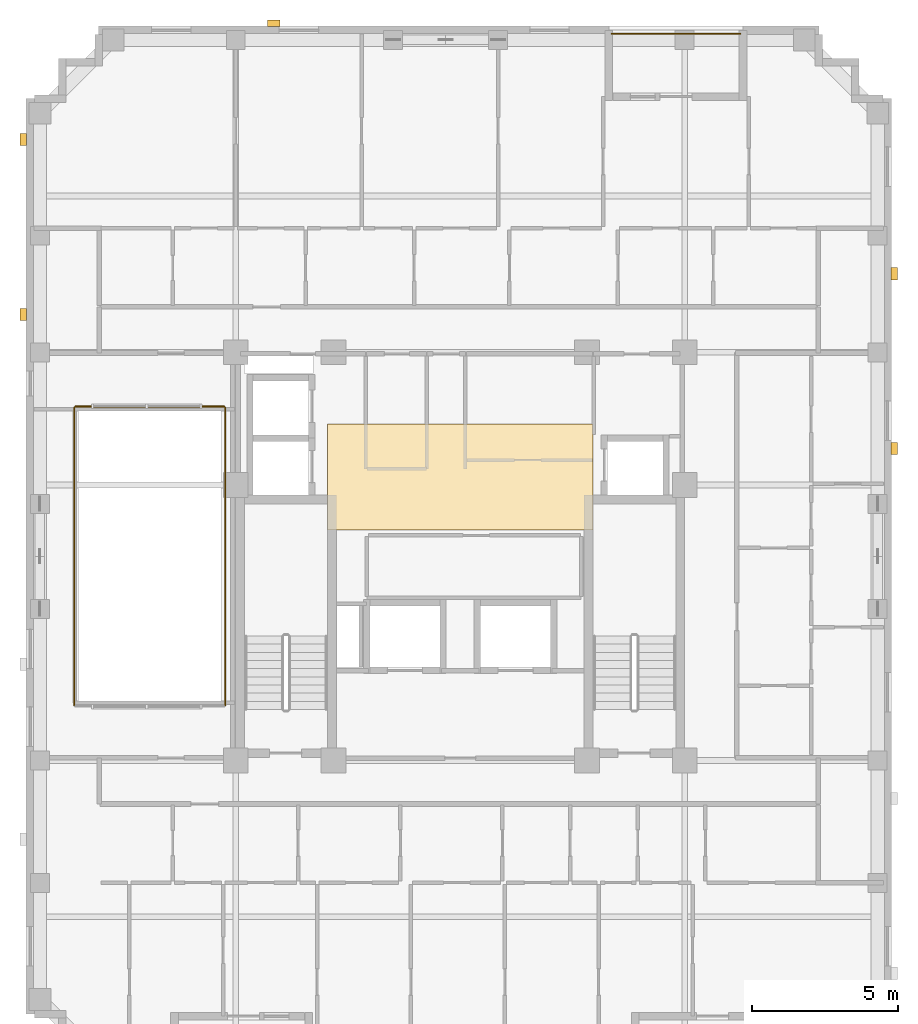
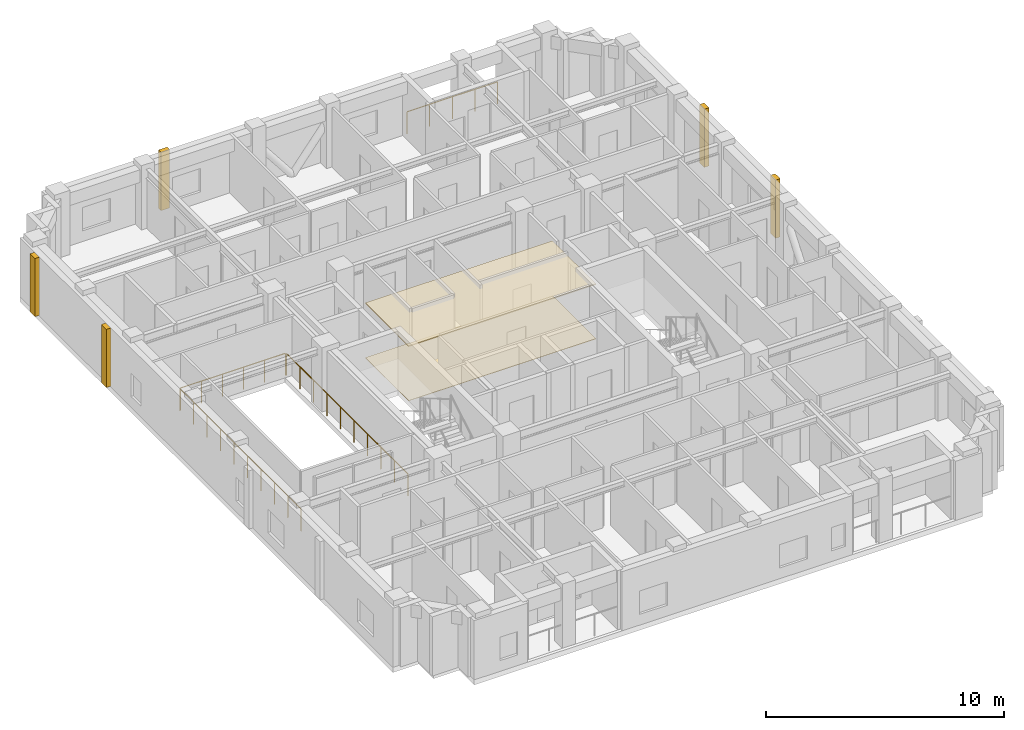
# One storey, part 12 of 12: 7 coverings, 4 railings.
"""IFC4 building model written with IfcOpenShell, lengths in metres."""

from ifc_helpers import new_model, si_unit, derived_unit, direction, frame, origin, origin_2d, place, context, subcontext, project, spatial, polyline, rectangle, circle, outline, extrude, material, layer, layer_set, type_object, element, save


model = new_model("IFC4")

# Units and contexts
model_context = context("Model", 3, precision=1e-05, world=origin(), true_north=direction((0.0, 1.0)))
body_context = subcontext(model_context, "Body", "Model", "MODEL_VIEW")
ifc_project = project(units=[si_unit("LENGTHUNIT", "METRE"), si_unit("AREAUNIT", "SQUARE_METRE"), si_unit("VOLUMEUNIT", "CUBIC_METRE"), si_unit("PLANEANGLEUNIT", "RADIAN"), si_unit("MASSUNIT", "GRAM", prefix="KILO"), derived_unit("THERMALTRANSMITTANCEUNIT", [(si_unit("MASSUNIT", "GRAM", prefix="KILO"), 1), (si_unit("TIMEUNIT", "SECOND"), -3), (si_unit("THERMODYNAMICTEMPERATUREUNIT", "KELVIN"), -1)])], contexts=[model_context])

# Site, building, storey
site_placement = place(None, origin())
site = spatial("IfcSite", under=ifc_project, at=site_placement, CompositionType="ELEMENT")
building_placement = place(site_placement, origin())
building = spatial("IfcBuilding", under=site, at=building_placement, Name="Korrvale Station Residences", CompositionType="ELEMENT")
storey_placement = place(building_placement, frame((0.0, 0.0, 184.300048828125)))
storey = spatial("IfcBuildingStorey", under=building, at=storey_placement, Name="L53", CompositionType="ELEMENT", Elevation=184.300048828125)

# Coverings
ifc_material_1 = material(Name="Perforated acoustic mineral-fibre suspended ceiling", Category="gypsum")
ifc_layer_1 = layer(ifc_material_1, 0.050048828125, Name="Perforated acoustic mineral-fibre suspended ceiling")
ifc_layer_set_1 = layer_set([ifc_layer_1], Name="Perforated acoustic mineral-fibre suspended ceiling")
covering_type_1 = type_object("IfcCoveringType", Name="COV-CLG-AC60", PredefinedType="CEILING", material=ifc_layer_set_1)
covering_1_placement = place(storey_placement, frame((0.0, 0.0, 2.7900390625)))
element("IfcCovering", 1, at=covering_1_placement, inside=storey, type_object=covering_type_1, Name="L53 Elevator Lobby Acoustic Ceiling", PredefinedType="CEILING", context=body_context, shape_type="SweptSolid", body=[
    extrude(outline(polyline([(20.949951171875, 22.89990234375), (30.050048828125, 22.89990234375), (30.050048828125, 26.550048828125), (20.949951171875, 26.550048828125), (20.949951171875, 22.89990234375)])), origin(), (0.0, 0.0, 1.0), 0.0498046875),
])
ifc_material_2 = material(Name="Polished quartz-terrazzo lobby flooring", Category="masonry")
ifc_layer_2 = layer(ifc_material_2, 0.02001953125, Name="Polished quartz-terrazzo lobby flooring")
ifc_layer_set_2 = layer_set([ifc_layer_2], Name="Polished quartz-terrazzo lobby flooring")
covering_type_2 = type_object("IfcCoveringType", Name="COV-FLR-TER20", PredefinedType="FLOORING", material=ifc_layer_set_2)
covering_2_placement = place(storey_placement, origin())
element("IfcCovering", 2, at=covering_2_placement, inside=storey, type_object=covering_type_2, Name="L53 Elevator Lobby Terrazzo Flooring", PredefinedType="FLOORING", context=body_context, shape_type="SweptSolid", body=[
    extrude(outline(polyline([(20.949951171875, 22.89990234375), (30.050048828125, 22.89990234375), (30.050048828125, 26.550048828125), (20.949951171875, 26.550048828125), (20.949951171875, 22.89990234375)])), origin(), (0.0, 0.0, 1.0), 0.02001953125),
])
ifc_material_3 = material(Name="Architectural precast concrete C45/55", Category="concrete")
ifc_layer_3 = layer(ifc_material_3, 0.219970703125, Name="Architectural precast concrete C45/55")
ifc_layer_set_3 = layer_set([ifc_layer_3], Name="Architectural precast concrete C45/55")
covering_type_3 = type_object("IfcCoveringType", Name="COV-PIER-400", PredefinedType="CLADDING", material=ifc_layer_set_3)
for number, where, z_axis, x_axis, name in (
    (3, (19.10009765625, 40.2900390625, 0.02490234375), (0.0, 0.0, 1.0), (1.0, 0.0, 0.0), "L53 Architectural Precast Facade Pier 01"),
    (4, (10.510009765625, 30.300048828125, 0.02490234375), (0.0, 0.0, 1.0), (0.0, 1.0, 0.0), "L53 Architectural Precast Facade Pier 04"),
    (5, (10.510009765625, 36.300048828125, 0.02490234375), (0.0, 0.0, 1.0), (0.0, 1.0, 0.0), "L53 Architectural Precast Facade Pier 05"),
    (6, (40.389892578125, 31.699951171875, 0.02490234375), (0.0, 0.0, 1.0), (0.0, 1.0, 0.0), "L53 Architectural Precast Facade Pier 06"),
    (7, (40.389892578125, 25.699951171875, 0.02490234375), (0.0, 0.0, 1.0), (0.0, 1.0, 0.0), "L53 Architectural Precast Facade Pier 07"),
):
    element("IfcCovering", number, at=place(storey_placement, frame(where, z_axis=z_axis, x_axis=x_axis)), inside=storey, type_object=covering_type_3, Name=name, PredefinedType="CLADDING", context=body_context, shape_type="SweptSolid", body=[
        extrude(rectangle(XDim=0.419921875, YDim=0.219970703125, at=origin_2d()), origin(), (0.0, 0.0, 1.0), 2.989990234375),
    ])

# Railings
ifc_material_4 = material(Name="Laminated glass and brushed bronze interior atrium balustrade", Category="glass")
railing_type_1 = type_object("IfcRailingType", Name="RLG-ATR-1150", PredefinedType="BALUSTRADE", material=ifc_material_4)
railing_1_placement = place(storey_placement, frame((12.300048828125, 27.139892578125, 0.0)))
element("IfcRailing", 8, at=railing_1_placement, inside=storey, type_object=railing_type_1, Name="L53 Atrium Void Balustrade 1-N", PredefinedType="BALUSTRADE", context=body_context, shape_type="SweptSolid", body=[
    extrude(circle(Radius=0.02392578125, at=origin_2d()), frame((0.0, 0.0, 1.1259765625), z_axis=(1.0, 0.0, 0.0), x_axis=(0.0, 1.0, 0.0)), (0.0, 0.0, 1.0), 5.099853515625),
    extrude(circle(Radius=0.02099609375, at=origin_2d()), origin(), (0.0, 0.0, 1.0), 1.101806640625),
    extrude(circle(Radius=0.02099609375, at=origin_2d()), frame((1.02001953125, 0.0, 0.0)), (0.0, 0.0, 1.0), 1.101806640625),
    extrude(circle(Radius=0.02099609375, at=origin_2d()), frame((2.0400390625, 0.0, 0.0)), (0.0, 0.0, 1.0), 1.101806640625),
    extrude(circle(Radius=0.02099609375, at=origin_2d()), frame((3.059814453125, 0.0, 0.0)), (0.0, 0.0, 1.0), 1.101806640625),
    extrude(circle(Radius=0.02099609375, at=origin_2d()), frame((4.079833984375, 0.0, 0.0)), (0.0, 0.0, 1.0), 1.101806640625),
    extrude(circle(Radius=0.02099609375, at=origin_2d()), frame((5.099853515625, 0.0, 0.0)), (0.0, 0.0, 1.0), 1.101806640625),
])
for number, where, name in (
    (9, (12.260009765625, 16.89990234375, 0.0), "L53 Atrium Void Balustrade 1-W"),
    (10, (17.43994140625, 16.89990234375, 0.0), "L53 Atrium Void Balustrade 1-E"),
):
    element("IfcRailing", number, at=place(storey_placement, frame(where)), inside=storey, type_object=railing_type_1, Name=name, PredefinedType="BALUSTRADE", context=body_context, shape_type="SweptSolid", body=[
        extrude(circle(Radius=0.02392578125, at=origin_2d()), frame((0.0, 0.0, 1.1259765625), z_axis=(0.0, 1.0, 0.0), x_axis=(-1.0, 0.0, 0.0)), (0.0, 0.0, 1.0), 10.2001953125),
        extrude(circle(Radius=0.02099609375, at=origin_2d()), origin(), (0.0, 0.0, 1.0), 1.101806640625),
        extrude(circle(Radius=0.02099609375, at=origin_2d()), frame((0.0, 1.13330078125, 0.0)), (0.0, 0.0, 1.0), 1.101806640625),
        extrude(circle(Radius=0.02099609375, at=origin_2d()), frame((0.0, 2.2666015625, 0.0)), (0.0, 0.0, 1.0), 1.101806640625),
        extrude(circle(Radius=0.02099609375, at=origin_2d()), frame((0.0, 3.400146484375, 0.0)), (0.0, 0.0, 1.0), 1.101806640625),
        extrude(circle(Radius=0.02099609375, at=origin_2d()), frame((0.0, 4.533447265625, 0.0)), (0.0, 0.0, 1.0), 1.101806640625),
        extrude(circle(Radius=0.02099609375, at=origin_2d()), frame((0.0, 5.666748046875, 0.0)), (0.0, 0.0, 1.0), 1.101806640625),
        extrude(circle(Radius=0.02099609375, at=origin_2d()), frame((0.0, 6.800048828125, 0.0)), (0.0, 0.0, 1.0), 1.101806640625),
        extrude(circle(Radius=0.02099609375, at=origin_2d()), frame((0.0, 7.93359375, 0.0)), (0.0, 0.0, 1.0), 1.101806640625),
        extrude(circle(Radius=0.02099609375, at=origin_2d()), frame((0.0, 9.06689453125, 0.0)), (0.0, 0.0, 1.0), 1.101806640625),
        extrude(circle(Radius=0.02099609375, at=origin_2d()), frame((0.0, 10.2001953125, 0.0)), (0.0, 0.0, 1.0), 1.101806640625),
    ])
ifc_material_5 = material(Name="Powder-coated aluminium picket loggia guard", Category="aluminium")
railing_type_2 = type_object("IfcRailingType", Name="RLG-BAL-1150", PredefinedType="GUARDRAIL", material=ifc_material_5)
railing_2_placement = place(storey_placement, frame((30.699951171875, 39.929931640625, 0.0)))
element("IfcRailing", 11, at=railing_2_placement, inside=storey, type_object=railing_type_2, Name="L53 Recessed Loggia Guardrail BAL-L53-N1", PredefinedType="GUARDRAIL", context=body_context, shape_type="SweptSolid", body=[
    extrude(circle(Radius=0.02392578125, at=origin_2d()), frame((0.0, 0.0, 1.1259765625), z_axis=(1.0, 0.0, 0.0), x_axis=(0.0, 1.0, 0.0)), (0.0, 0.0, 1.0), 4.400146484375),
    extrude(circle(Radius=0.02099609375, at=origin_2d()), origin(), (0.0, 0.0, 1.0), 1.101806640625),
    extrude(circle(Radius=0.02099609375, at=origin_2d()), frame((1.10009765625, 0.0, 0.0)), (0.0, 0.0, 1.0), 1.101806640625),
    extrude(circle(Radius=0.02099609375, at=origin_2d()), frame((2.2001953125, 0.0, 0.0)), (0.0, 0.0, 1.0), 1.101806640625),
    extrude(circle(Radius=0.02099609375, at=origin_2d()), frame((3.300048828125, 0.0, 0.0)), (0.0, 0.0, 1.0), 1.101806640625),
    extrude(circle(Radius=0.02099609375, at=origin_2d()), frame((4.400146484375, 0.0, 0.0)), (0.0, 0.0, 1.0), 1.101806640625),
])

save(model, "model.ifc")
